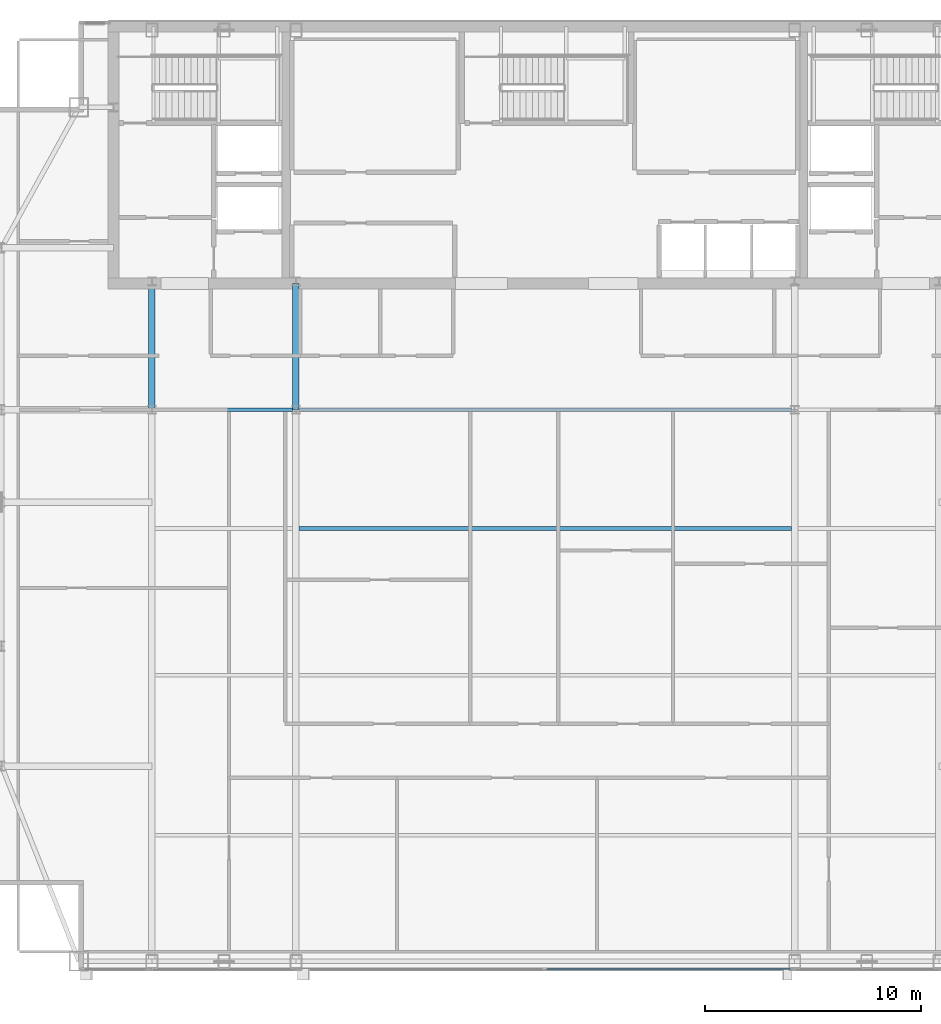
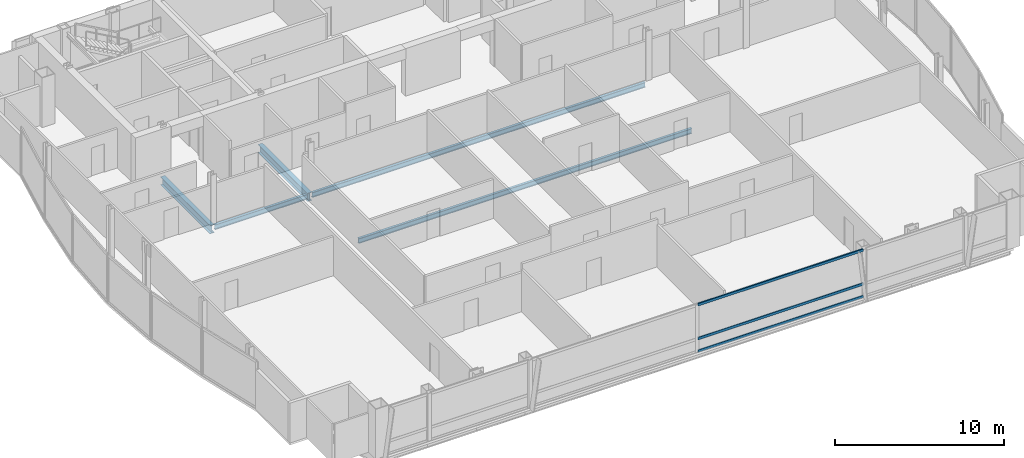
# One storey, part 13 of 29: 5 beams, 3 members, 1 element without a shape of its own.
"""IFC4 building model written with IfcOpenShell, lengths in metres."""

from ifc_helpers import new_model, si_unit, direction, frame, origin, origin_2d, place, context, subcontext, project, spatial, hollow_rectangle, i_section, extrude, material, material_profile, profile_set, type_object, element, aggregate, save


model = new_model("IFC4")

# Units and contexts
model_context = context("Model", 3, precision=1e-05, world=origin(), true_north=direction((0.0, 1.0)))
body_context = subcontext(model_context, "Body", "Model", "MODEL_VIEW")
ifc_project = project(units=[si_unit("LENGTHUNIT", "METRE"), si_unit("AREAUNIT", "SQUARE_METRE"), si_unit("VOLUMEUNIT", "CUBIC_METRE"), si_unit("PLANEANGLEUNIT", "RADIAN"), si_unit("MASSUNIT", "GRAM", prefix="KILO")], contexts=[model_context])

# Site, building, storey
site_placement = place(None, origin())
site = spatial("IfcSite", under=ifc_project, at=site_placement, CompositionType="ELEMENT")
building_placement = place(site_placement, origin())
building = spatial("IfcBuilding", under=site, at=building_placement, Name="Khoronbel Lancet Exchange", CompositionType="ELEMENT")
storey_placement = place(building_placement, frame((0.0, 0.0, 321.800048828125)))
storey = spatial("IfcBuildingStorey", under=building, at=storey_placement, Name="L83", CompositionType="ELEMENT", Elevation=321.800048828125)

# Beams
ifc_material_1 = material(Name="Steel S355", Category="steel")
ifc_material_profile_1 = material_profile(ifc_material_1, i_section(OverallWidth=0.300048828125, OverallDepth=0.60009765625, WebThickness=0.015380859375, FlangeThickness=0.030029296875, at=origin_2d()), Name="HEB 600")
ifc_profile_set_1 = profile_set([ifc_material_profile_1], Name="Steel S355")
beam_type_1 = type_object("IfcBeamType", Name="BM-BG5", PredefinedType="BEAM", material=ifc_profile_set_1)
for number, where, z_axis, x_axis, name in (
    (1, (18.22509765625, 35.699951171875, -0.4599609375), (0.0, 1.0, 0.0), (-1.0, 0.0, 0.0), "Level L83 spine tie girder GN1"),
    (2, (24.89990234375, 35.699951171875, -0.4599609375), (0.0, 1.0, 0.0), (-1.0, 0.0, 0.0), "Level L83 spine tie girder GN2"),
):
    element("IfcBeam", number, at=place(storey_placement, frame(where, z_axis=z_axis, x_axis=x_axis)), inside=storey, type_object=beam_type_1, Name=name, PredefinedType="BEAM", context=body_context, shape_type="SweptSolid", body=[
        extrude(i_section(OverallWidth=0.300048828125, OverallDepth=0.60009765625, WebThickness=0.015380859375, FlangeThickness=0.030029296875, at=origin_2d()), origin(), (0.0, 0.0, 1.0), 5.85009765625),
    ])
ifc_material_profile_2 = material_profile(ifc_material_1, i_section(OverallWidth=0.169921875, OverallDepth=0.360107421875, WebThickness=0.008056640625, FlangeThickness=0.0126953125, at=origin_2d()), Name="IPE 360")
ifc_profile_set_2 = profile_set([ifc_material_profile_2], Name="Steel S355")
beam_type_2 = type_object("IfcBeamType", Name="BM-BJ6", PredefinedType="JOIST", material=ifc_profile_set_2)
beam_1_placement = place(storey_placement, frame((25.050048828125, 30.199951171875, -0.340087890625), z_axis=(1.0, 0.0, 0.0), x_axis=(0.0, 1.0, 0.0)))
element("IfcBeam", 3, at=beam_1_placement, inside=storey, type_object=beam_type_2, Name="Level L83 secondary composite joist J08", PredefinedType="JOIST", context=body_context, shape_type="SweptSolid", body=[
    extrude(i_section(OverallWidth=0.169921875, OverallDepth=0.360107421875, WebThickness=0.008056640625, FlangeThickness=0.0126953125, at=origin_2d()), origin(), (0.0, 0.0, 1.0), 22.800048828125),
])
beam_2_placement = place(storey_placement, frame((18.375, 35.699951171875, -0.340087890625), z_axis=(1.0, 0.0, 0.0), x_axis=(0.0, 1.0, 0.0)))
element("IfcBeam", 4, at=beam_2_placement, inside=storey, type_object=beam_type_2, Name="Level L83 secondary composite joist J10", PredefinedType="JOIST", context=body_context, shape_type="SweptSolid", body=[
    extrude(i_section(OverallWidth=0.169921875, OverallDepth=0.360107421875, WebThickness=0.008056640625, FlangeThickness=0.0126953125, at=origin_2d()), origin(), (0.0, 0.0, 1.0), 6.375),
])
beam_3_placement = place(storey_placement, frame((25.050048828125, 35.699951171875, -0.340087890625), z_axis=(1.0, 0.0, 0.0), x_axis=(0.0, 1.0, 0.0)))
element("IfcBeam", 5, at=beam_3_placement, inside=storey, type_object=beam_type_2, Name="Level L83 secondary composite joist J11", PredefinedType="JOIST", context=body_context, shape_type="SweptSolid", body=[
    extrude(i_section(OverallWidth=0.169921875, OverallDepth=0.360107421875, WebThickness=0.008056640625, FlangeThickness=0.0126953125, at=origin_2d()), origin(), (0.0, 0.0, 1.0), 22.800048828125),
])

# Curtain wall, members
ifc_material_2 = material(Name="Low-E Solar Control Insulating Glass", Category="glass")
curtain_wall_type = type_object("IfcCurtainWallType", Name="CW-3", PredefinedType="NOTDEFINED", material=ifc_material_2)
curtain_wall_placement = place(storey_placement, origin())
curtain_wall = element("IfcCurtainWall", 6, at=curtain_wall_placement, inside=storey, type_object=curtain_wall_type, Name="Unitised curtain wall CW-L83-SCV", PredefinedType="NOTDEFINED")
ifc_material_3 = material(Name="Bronze-Anodised Aluminium 6063-T6", Category="aluminium")
ifc_material_profile_3 = material_profile(ifc_material_3, hollow_rectangle(XDim=0.0849609375, YDim=0.179931640625, WallThickness=0.0048828125, at=origin_2d()), Name="ALU TRANSOM 85x180")
ifc_profile_set_3 = profile_set([ifc_material_profile_3], Name="Bronze-Anodised Aluminium 6063-T6")
member_type = type_object("IfcMemberType", Name="MEM-CWT1", PredefinedType="USERDEFINED", material=ifc_profile_set_3)
member_1_placement = place(storey_placement, frame((36.492431640625, 9.7900390625, 0.04248046875), z_axis=(1.0, 0.0, 0.0), x_axis=(0.0, 1.0, 0.0)))
member_1 = element("IfcMember", 7, at=member_1_placement, type_object=member_type, Name="CW3 transom 2.1", ObjectType="TRANSOM", PredefinedType="USERDEFINED", context=body_context, shape_type="SweptSolid", body=[
    extrude(hollow_rectangle(XDim=0.0849609375, YDim=0.179931640625, WallThickness=0.0048828125, at=origin_2d()), origin(), (0.0, 0.0, 1.0), 11.322509765625),
])
member_2_placement = place(storey_placement, frame((36.492431640625, 9.7900390625, 0.949951171875), z_axis=(1.0, 0.0, 0.0), x_axis=(0.0, 1.0, 0.0)))
member_2 = element("IfcMember", 8, at=member_2_placement, type_object=member_type, Name="CW3 transom 2.2", ObjectType="TRANSOM", PredefinedType="USERDEFINED", context=body_context, shape_type="SweptSolid", body=[
    extrude(hollow_rectangle(XDim=0.0849609375, YDim=0.179931640625, WallThickness=0.0048828125, at=origin_2d()), origin(), (0.0, 0.0, 1.0), 11.322509765625),
])
member_3_placement = place(storey_placement, frame((36.492431640625, 9.7900390625, 3.3974609375), z_axis=(1.0, 0.0, 0.0), x_axis=(0.0, 1.0, 0.0)))
member_3 = element("IfcMember", 9, at=member_3_placement, type_object=member_type, Name="CW3 transom 2.3", ObjectType="TRANSOM", PredefinedType="USERDEFINED", context=body_context, shape_type="SweptSolid", body=[
    extrude(hollow_rectangle(XDim=0.0849609375, YDim=0.179931640625, WallThickness=0.0048828125, at=origin_2d()), origin(), (0.0, 0.0, 1.0), 11.322509765625),
])
aggregate(curtain_wall, [member_1, member_2, member_3])

save(model, "model.ifc")
